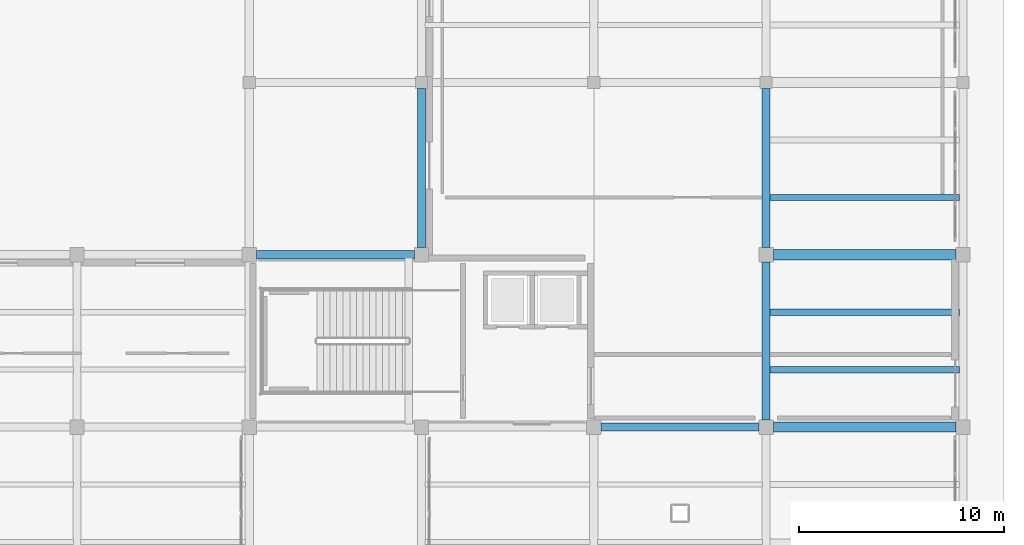
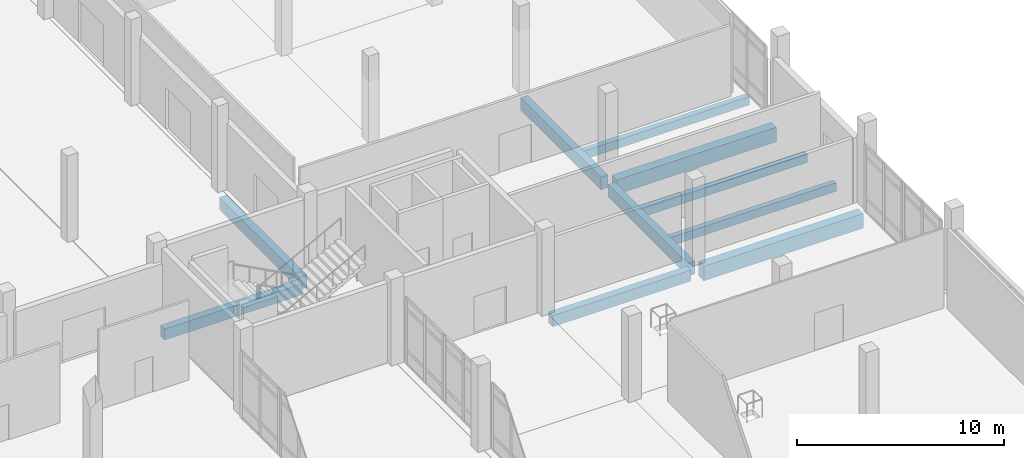
# One storey, part 19 of 64: 10 beams.
"""IFC4 building model written with IfcOpenShell, lengths in metres."""

from ifc_helpers import new_model, si_unit, derived_unit, direction, frame, origin, origin_2d, place, context, subcontext, project, spatial, rectangle, extrude, material, material_profile, profile_set, type_object, element, save


model = new_model("IFC4")

# Units and contexts
model_context = context("Model", 3, precision=1e-05, world=origin(), true_north=direction((0.0, 1.0)))
body_context = subcontext(model_context, "Body", "Model", "MODEL_VIEW")
ifc_project = project(units=[si_unit("LENGTHUNIT", "METRE"), si_unit("AREAUNIT", "SQUARE_METRE"), si_unit("VOLUMEUNIT", "CUBIC_METRE"), si_unit("PLANEANGLEUNIT", "RADIAN"), si_unit("MASSUNIT", "GRAM", prefix="KILO"), derived_unit("THERMALTRANSMITTANCEUNIT", [(si_unit("POWERUNIT", "WATT"), 1), (si_unit("LENGTHUNIT", "METRE"), -2), (si_unit("THERMODYNAMICTEMPERATUREUNIT", "KELVIN"), -1)])], contexts=[model_context])

# Site, building, storey
site_placement = place(None, origin())
site = spatial("IfcSite", under=ifc_project, at=site_placement, CompositionType="ELEMENT")
building_placement = place(site_placement, origin())
building = spatial("IfcBuilding", under=site, at=building_placement, Name="Elbkamm Science Centre", CompositionType="ELEMENT")
storey_placement = place(building_placement, origin())
storey = spatial("IfcBuildingStorey", under=building, at=storey_placement, Name="L00", CompositionType="ELEMENT", Elevation=0.0)

# Beams
ifc_material = material(Name="Concrete C40/50", Category="concrete")
ifc_material_profile_1 = material_profile(ifc_material, rectangle(XDim=0.39990234375, YDim=0.64990234375, at=origin_2d()), Name="RC 400x650")
ifc_profile_set_1 = profile_set([ifc_material_profile_1], Name="Concrete C40/50")
beam_type_1 = type_object("IfcBeamType", Name="BM-RC-400x650", PredefinedType="BEAM", material=ifc_profile_set_1)
beam_1_placement = place(storey_placement, frame((143.14990234375, 50.39990234375, -0.625), z_axis=(1.0, 0.0, 0.0), x_axis=(0.0, 1.0, 0.0)))
element("IfcBeam", 1, at=beam_1_placement, inside=storey, type_object=beam_type_1, Name="L00 Primary X-Girder 056", PredefinedType="BEAM", context=body_context, shape_type="SweptSolid", body=[
    extrude(rectangle(XDim=0.39990234375, YDim=0.64990234375, at=origin_2d()), origin(), (0.0, 0.0, 1.0), 7.7001953125),
])
beam_2_placement = place(storey_placement, frame((126.35009765625, 58.800048828125, -0.625), z_axis=(1.0, 0.0, 0.0), x_axis=(0.0, 1.0, 0.0)))
element("IfcBeam", 2, at=beam_2_placement, inside=storey, type_object=beam_type_1, Name="L00 Primary X-Girder 064", PredefinedType="BEAM", context=body_context, shape_type="SweptSolid", body=[
    extrude(rectangle(XDim=0.39990234375, YDim=0.64990234375, at=origin_2d()), origin(), (0.0, 0.0, 1.0), 7.699951171875),
])
ifc_material_profile_2 = material_profile(ifc_material, rectangle(XDim=0.39990234375, YDim=0.75, at=origin_2d()), Name="RC 400x750")
ifc_profile_set_2 = profile_set([ifc_material_profile_2], Name="Concrete C40/50")
beam_type_2 = type_object("IfcBeamType", Name="BM-RC-400x750", PredefinedType="BEAM", material=ifc_profile_set_2)
beam_3_placement = place(storey_placement, frame((134.39990234375, 59.14990234375, -0.675048828125), z_axis=(0.0, 1.0, 0.0), x_axis=(-1.0, 0.0, 0.0)))
element("IfcBeam", 3, at=beam_3_placement, inside=storey, type_object=beam_type_2, Name="L00 Primary Y-Girder 056", PredefinedType="BEAM", context=body_context, shape_type="SweptSolid", body=[
    extrude(rectangle(XDim=0.39990234375, YDim=0.75, at=origin_2d()), origin(), (0.0, 0.0, 1.0), 7.75),
])
beam_4_placement = place(storey_placement, frame((151.199951171875, 50.75, -0.675048828125), z_axis=(0.0, 1.0, 0.0), x_axis=(-1.0, 0.0, 0.0)))
element("IfcBeam", 4, at=beam_4_placement, inside=storey, type_object=beam_type_2, Name="L00 Primary Y-Girder 071", PredefinedType="BEAM", context=body_context, shape_type="SweptSolid", body=[
    extrude(rectangle(XDim=0.39990234375, YDim=0.75, at=origin_2d()), origin(), (0.0, 0.0, 1.0), 7.699951171875),
])
beam_5_placement = place(storey_placement, frame((151.199951171875, 59.14990234375, -0.675048828125), z_axis=(0.0, 1.0, 0.0), x_axis=(-1.0, 0.0, 0.0)))
element("IfcBeam", 5, at=beam_5_placement, inside=storey, type_object=beam_type_2, Name="L00 Primary Y-Girder 072", PredefinedType="BEAM", context=body_context, shape_type="SweptSolid", body=[
    extrude(rectangle(XDim=0.39990234375, YDim=0.75, at=origin_2d()), origin(), (0.0, 0.0, 1.0), 7.75),
])
ifc_material_profile_3 = material_profile(ifc_material, rectangle(XDim=0.5, YDim=0.85009765625, at=origin_2d()), Name="RC 500x850")
ifc_profile_set_3 = profile_set([ifc_material_profile_3], Name="Concrete C40/50")
beam_type_3 = type_object("IfcBeamType", Name="BM-RC-500x850", PredefinedType="BEAM", material=ifc_profile_set_3)
for number, where, z_axis, x_axis, name in (
    (6, (151.550048828125, 50.39990234375, -0.72509765625), (1.0, 0.0, 0.0), (0.0, 1.0, 0.0), "L00 Primary X-Girder 057"),
    (7, (151.550048828125, 58.800048828125, -0.72509765625), (1.0, 0.0, 0.0), (0.0, 1.0, 0.0), "L00 Primary X-Girder 065"),
):
    element("IfcBeam", number, at=place(storey_placement, frame(where, z_axis=z_axis, x_axis=x_axis)), inside=storey, type_object=beam_type_3, Name=name, PredefinedType="BEAM", context=body_context, shape_type="SweptSolid", body=[
        extrude(rectangle(XDim=0.5, YDim=0.85009765625, at=origin_2d()), origin(), (0.0, 0.0, 1.0), 8.89990234375),
    ])
ifc_material_profile_4 = material_profile(ifc_material, rectangle(XDim=0.300048828125, YDim=0.5, at=origin_2d()), Name="RC 300x500")
ifc_profile_set_4 = profile_set([ifc_material_profile_4], Name="Concrete C40/50")
beam_type_4 = type_object("IfcBeamType", Name="JST-RC-300x500", PredefinedType="JOIST", material=ifc_profile_set_4)
for number, where, z_axis, x_axis, name in (
    (8, (151.3798828125, 53.199951171875, -0.550048828125), (1.0, 0.0, 0.0), (0.0, 1.0, 0.0), "L00 Secondary Floor Joist 067"),
    (9, (151.3798828125, 56.0, -0.550048828125), (1.0, 0.0, 0.0), (0.0, 1.0, 0.0), "L00 Secondary Floor Joist 068"),
    (10, (151.3798828125, 61.60009765625, -0.550048828125), (1.0, 0.0, 0.0), (0.0, 1.0, 0.0), "L00 Secondary Floor Joist 069"),
):
    element("IfcBeam", number, at=place(storey_placement, frame(where, z_axis=z_axis, x_axis=x_axis)), inside=storey, type_object=beam_type_4, Name=name, PredefinedType="JOIST", context=body_context, shape_type="SweptSolid", body=[
        extrude(rectangle(XDim=0.300048828125, YDim=0.5, at=origin_2d()), origin(), (0.0, 0.0, 1.0), 9.240234375),
    ])

save(model, "model.ifc")
